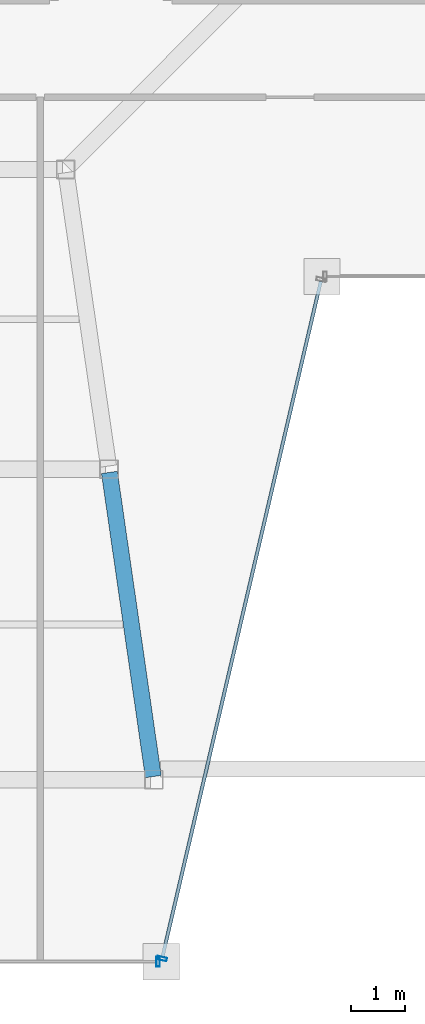
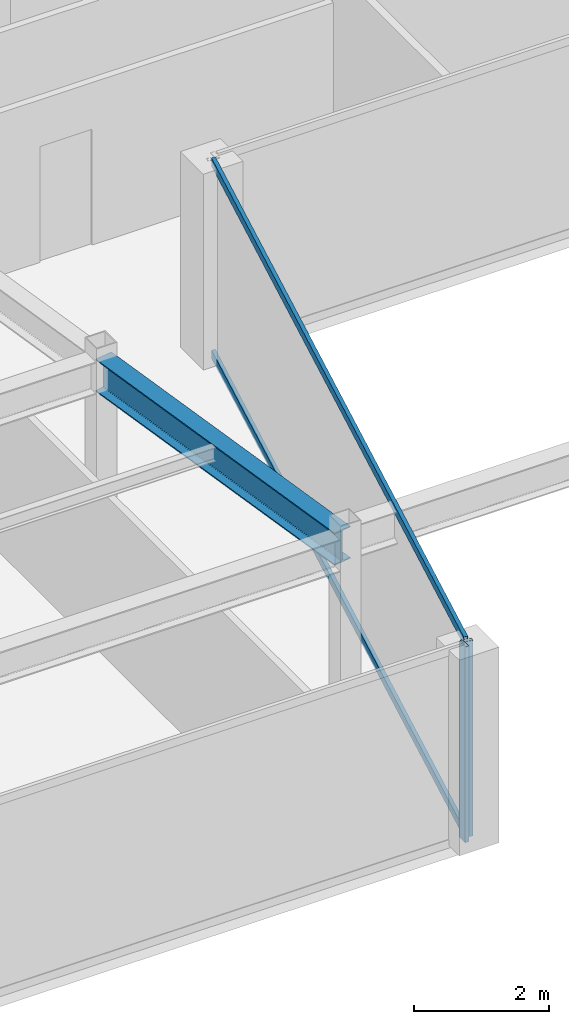
# One storey, part 6 of 32: 4 members, 1 beam, 2 elements without a shape of their own.
"""IFC4 building model written with IfcOpenShell, lengths in metres."""

from ifc_helpers import new_model, si_unit, direction, frame, origin, origin_2d, place, context, subcontext, project, spatial, hollow_rectangle, i_section, extrude, material, material_profile, profile_set, type_object, element, aggregate, save


model = new_model("IFC4")

# Units and contexts
model_context = context("Model", 3, precision=1e-05, world=origin(), true_north=direction((0.0, 1.0)))
body_context = subcontext(model_context, "Body", "Model", "MODEL_VIEW")
ifc_project = project(units=[si_unit("LENGTHUNIT", "METRE"), si_unit("AREAUNIT", "SQUARE_METRE"), si_unit("VOLUMEUNIT", "CUBIC_METRE"), si_unit("PLANEANGLEUNIT", "RADIAN"), si_unit("MASSUNIT", "GRAM", prefix="KILO")], contexts=[model_context])

# Site, building, storey
site_placement = place(None, origin())
site = spatial("IfcSite", under=ifc_project, at=site_placement, CompositionType="ELEMENT")
building_placement = place(site_placement, origin())
building = spatial("IfcBuilding", under=site, at=building_placement, Name="Saevonmaru Cultural Tower", CompositionType="ELEMENT")
storey_placement = place(building_placement, frame((0.0, 0.0, 264.800048828125)))
storey = spatial("IfcBuildingStorey", under=building, at=storey_placement, Name="L62", CompositionType="ELEMENT", Elevation=264.800048828125)

# Beam
ifc_material_1 = material(Name="Steel SM355", Category="steel")
ifc_material_profile_1 = material_profile(ifc_material_1, i_section(OverallWidth=0.300048828125, OverallDepth=0.587890625, WebThickness=0.011962890625, FlangeThickness=0.02001953125, FilletRadius=0.02392578125, at=origin_2d()), Name="H-588x300x12x20")
ifc_profile_set_1 = profile_set([ifc_material_profile_1], Name="Steel SM355")
beam_type = type_object("IfcBeamType", Name="BM-G-H588", PredefinedType="BEAM", material=ifc_profile_set_1)
beam_placement = place(storey_placement, frame((20.4453125, 26.259521484375, 3.255859375), z_axis=(-0.142826510921, 0.989747739466, 0.0), x_axis=(-0.989747739466, -0.142826510921, 0.0)))
element("IfcBeam", 1, at=beam_placement, inside=storey, type_object=beam_type, Name="L62 West Atrium Girder 1", PredefinedType="BEAM", context=body_context, shape_type="SweptSolid", body=[
    extrude(i_section(OverallWidth=0.300048828125, OverallDepth=0.587890625, WebThickness=0.011962890625, FlangeThickness=0.02001953125, FilletRadius=0.02392578125, at=origin_2d()), origin(), (0.0, 0.0, 1.0), 5.739990234375),
])

# Curtain wall, member
ifc_material_2 = material(Name="Satin Bronze Anodised Aluminium", Category="aluminium")
curtain_wall_type = type_object("IfcCurtainWallType", Name="CW-TYP-B", PredefinedType="NOTDEFINED", material=ifc_material_2)
curtain_wall_1_placement = place(storey_placement, origin())
curtain_wall_1 = element("IfcCurtainWall", 2, at=curtain_wall_1_placement, inside=storey, type_object=curtain_wall_type, Name="L62 Unitised Curtain Wall E2", PredefinedType="NOTDEFINED")
ifc_material_profile_2 = material_profile(ifc_material_2, hollow_rectangle(XDim=0.06494140625, YDim=0.179931640625, WallThickness=0.00390625, at=origin_2d()), Name="ALU-MULL-180x65x4")
ifc_profile_set_2 = profile_set([ifc_material_profile_2], Name="Satin Bronze Anodised Aluminium")
member_type_1 = type_object("IfcMemberType", Name="ML-CW-180x65", PredefinedType="MULLION", material=ifc_profile_set_2)
member_1_placement = place(storey_placement, frame((20.53564453125, 22.800048828125, 0.0), z_axis=(0.0, 0.0, 1.0), x_axis=(1.0, 0.0, 0.0)))
member_1 = element("IfcMember", 3, at=member_1_placement, type_object=member_type_1, Name="CW-TW-L62-E2 mullion 2", PredefinedType="MULLION", context=body_context, shape_type="SweptSolid", body=[
    extrude(hollow_rectangle(XDim=0.06494140625, YDim=0.179931640625, WallThickness=0.00390625, at=origin_2d()), origin(), (0.0, 0.0, 1.0), 3.550048828125),
])
aggregate(curtain_wall_1, [member_1])

# Curtain wall, members
curtain_wall_2_placement = place(storey_placement, origin())
curtain_wall_2 = element("IfcCurtainWall", 4, at=curtain_wall_2_placement, inside=storey, type_object=curtain_wall_type, Name="L62 Unitised Curtain Wall E3", PredefinedType="NOTDEFINED")
member_2_placement = place(storey_placement, frame((20.609375, 22.8583984375, 0.0), z_axis=(0.0, 0.0, 1.0), x_axis=(0.228189509449, 0.973616735568, 0.0)))
member_2 = element("IfcMember", 5, at=member_2_placement, type_object=member_type_1, Name="CW-TW-L62-E3 mullion 1", PredefinedType="MULLION", context=body_context, shape_type="SweptSolid", body=[
    extrude(hollow_rectangle(XDim=0.06494140625, YDim=0.179931640625, WallThickness=0.00390625, at=origin_2d()), origin(), (0.0, 0.0, 1.0), 3.550048828125),
])
ifc_material_profile_3 = material_profile(ifc_material_2, hollow_rectangle(XDim=0.06494140625, YDim=0.14990234375, WallThickness=0.00390625, at=origin_2d()), Name="ALU-TRAN-150x65x4")
ifc_profile_set_3 = profile_set([ifc_material_profile_3], Name="Satin Bronze Anodised Aluminium")
member_type_2 = type_object("IfcMemberType", Name="TR-CW-150x65", PredefinedType="USERDEFINED", material=ifc_profile_set_3)
member_3_placement = place(storey_placement, frame((20.61669921875, 22.89013671875, 0.032470703125), z_axis=(0.228189927903, 0.973616637493, 0.0), x_axis=(-0.973616637493, 0.228189927903, 0.0)))
member_3 = element("IfcMember", 6, at=member_3_placement, type_object=member_type_2, Name="CW-TW-L62-E3 transom 1.1", ObjectType="TRANSOM", PredefinedType="USERDEFINED", context=body_context, shape_type="SweptSolid", body=[
    extrude(hollow_rectangle(XDim=0.06494140625, YDim=0.14990234375, WallThickness=0.00390625, at=origin_2d()), origin(), (0.0, 0.0, 1.0), 12.9619140625),
])
member_4_placement = place(storey_placement, frame((20.61669921875, 22.89013671875, 3.517333984375), z_axis=(0.228189927903, 0.973616637493, 0.0), x_axis=(-0.973616637493, 0.228189927903, 0.0)))
member_4 = element("IfcMember", 7, at=member_4_placement, type_object=member_type_2, Name="CW-TW-L62-E3 transom 1.2", ObjectType="TRANSOM", PredefinedType="USERDEFINED", context=body_context, shape_type="SweptSolid", body=[
    extrude(hollow_rectangle(XDim=0.06494140625, YDim=0.14990234375, WallThickness=0.00390625, at=origin_2d()), origin(), (0.0, 0.0, 1.0), 12.9619140625),
])
aggregate(curtain_wall_2, [member_2, member_3, member_4])

save(model, "model.ifc")
